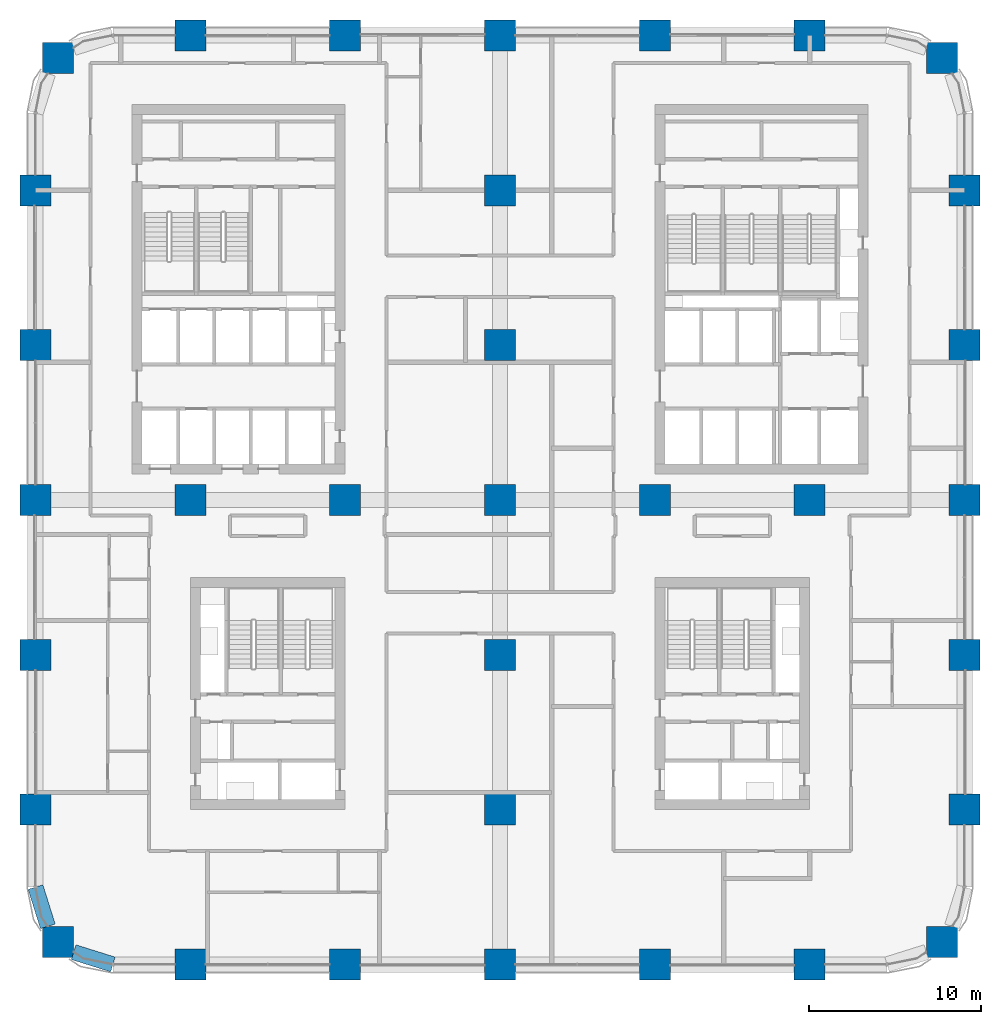
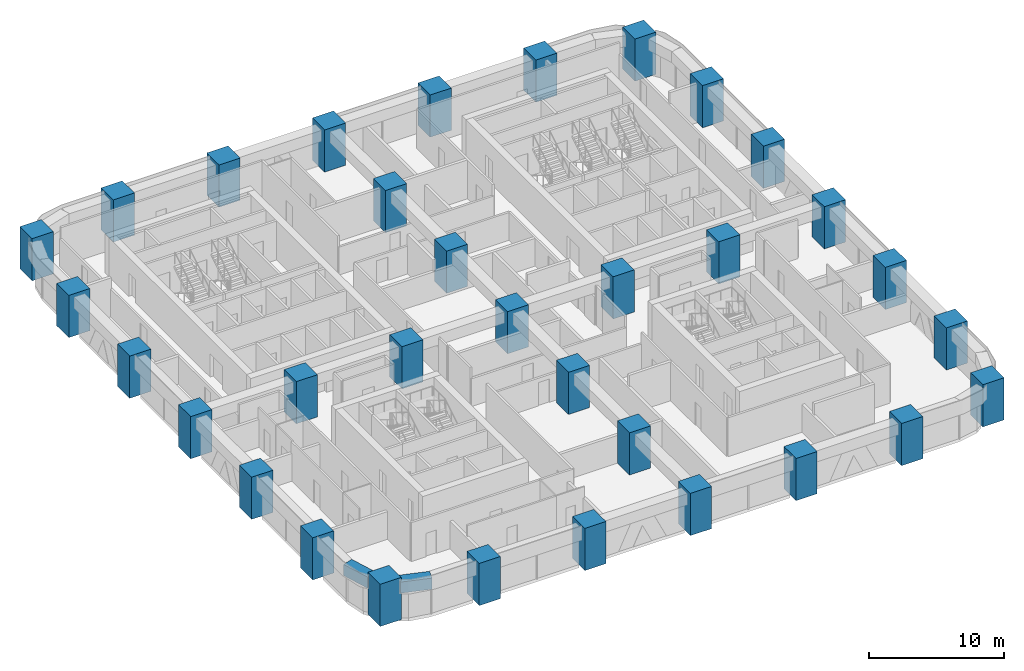
# One storey, part 1 of 21: 33 columns, 2 beams.
"""IFC4 building model written with IfcOpenShell, lengths in metres."""

import ifcopenshell
import ifcopenshell.guid

model = None  # the IFC model being written
_history = None  # IfcOwnerHistory: only IFC2X3 demands one
_inside = {}  # id of a spatial element -> (the spatial element, [elements in it])
_under = {}  # id of a project, library or spatial element -> (it, [spatial elements below it])
_declared = {}  # id of a project -> (the project, [libraries it declares])
_typed = {}  # id of a type object -> (the type object, [elements of that type])
_made_of = {}  # id of a material, layer set ... -> (it, [elements and type objects made of it])


def new_model(schema):
    """Start an empty IFC model of exactly this schema.

    Asked for "IFC4X3", IfcOpenShell would pick the latest addendum, in which some entities
    have other attributes; the version numbers below select the first issue.
    IFC2X3 requires an IfcOwnerHistory on every rooted entity: one is made here for all.
    """
    global model, _history
    if schema == "IFC4X3":
        model = ifcopenshell.file(schema_version=(4, 3, 0, 0))
    else:
        model = ifcopenshell.file(schema=schema)
    _inside.clear()
    _under.clear()
    _declared.clear()
    _typed.clear()
    _made_of.clear()
    _history = None
    if model.schema == "IFC2X3":
        org = make("IfcOrganization", Name="unknown")
        user = make(
            "IfcPersonAndOrganization",
            ThePerson=make("IfcPerson", FamilyName="unknown"),
            TheOrganization=org,
        )
        app = make(
            "IfcApplication",
            ApplicationDeveloper=org,
            Version="unknown",
            ApplicationFullName="unknown",
            ApplicationIdentifier="unknown",
        )
        _history = make(
            "IfcOwnerHistory",
            OwningUser=user,
            OwningApplication=app,
            ChangeAction="ADDED",
            CreationDate=0,
        )
    return model


def make(cls, **values):
    """One entity of the class cls with the attributes given. An attribute that is None is left unset."""
    return model.create_entity(
        cls, **{name: value for name, value in values.items() if value is not None}
    )


def rooted(cls, **values):
    """An entity with a GlobalId (a new one), such as an element, a storey or a relation."""
    return make(cls, GlobalId=ifcopenshell.guid.new(), OwnerHistory=_history, **values)


def si_unit(unit_type, name, prefix=None):
    """IfcSIUnit, for example si_unit("LENGTHUNIT", "METRE", prefix="MILLI")."""
    return make("IfcSIUnit", UnitType=unit_type, Prefix=prefix, Name=name)


def assignment(units):
    """IfcUnitAssignment: the units of a project."""
    return None if units is None else make("IfcUnitAssignment", Units=units)


def point(xyz):
    """IfcCartesianPoint."""
    return None if xyz is None else make("IfcCartesianPoint", Coordinates=xyz)


def direction(xyz):
    """IfcDirection."""
    return None if xyz is None else make("IfcDirection", DirectionRatios=xyz)


def frame(location, z_axis=None, x_axis=None):
    """IfcAxis2Placement3D, a coordinate frame: its origin and axes. An axis left out is left unset."""
    return make(
        "IfcAxis2Placement3D",
        Location=point(location),
        Axis=direction(z_axis),
        RefDirection=direction(x_axis),
    )


def frame_2d(location, x_axis=None):
    """IfcAxis2Placement2D, a coordinate frame in the plane: its origin and x axis."""
    return make(
        "IfcAxis2Placement2D", Location=point(location), RefDirection=direction(x_axis)
    )


def origin():
    """The frame at (0, 0, 0) with its axes left unset."""
    return frame((0.0, 0.0, 0.0))


def origin_2d():
    """The frame at (0, 0) in the plane with its x axis left unset."""
    return frame_2d((0.0, 0.0))


def place(relative_to, where):
    """IfcLocalPlacement: puts the frame where relative to a parent placement (None: the world)."""
    return make(
        "IfcLocalPlacement", PlacementRelTo=relative_to, RelativePlacement=where
    )


def context(
    kind, dimensions, precision=None, world=None, true_north=None, identifier=None
):
    """IfcGeometricRepresentationContext, for example the 3D "Model" context."""
    return make(
        "IfcGeometricRepresentationContext",
        ContextIdentifier=identifier,
        ContextType=kind,
        CoordinateSpaceDimension=dimensions,
        Precision=precision,
        WorldCoordinateSystem=world,
        TrueNorth=true_north,
    )


def subcontext(parent, identifier, kind, view, scale=None):
    """IfcGeometricRepresentationSubContext, for example "Body" below "Model"."""
    return make(
        "IfcGeometricRepresentationSubContext",
        ContextIdentifier=identifier,
        ContextType=kind,
        ParentContext=parent,
        TargetScale=scale,
        TargetView=view,
    )


def project(units=None, contexts=None):
    """IfcProject with its units and contexts."""
    return rooted(
        "IfcProject",
        Name="project",
        RepresentationContexts=contexts,
        UnitsInContext=assignment(units),
    )


def spatial(cls, under=None, at=None, **own):
    """A site, building, storey or space (cls), placed at a placement, below another one or the project."""
    s = rooted(cls, ObjectPlacement=at, **own)
    if under is not None:
        _under.setdefault(under.id(), (under, []))[1].append(s)
    return s


def profile(cls, at=None, kind="AREA", **sizes):
    """A parametric profile (cls). Its sizes go by their IFC names, for example OverallWidth=200.0."""
    return make(cls, ProfileType=kind, Position=at, **sizes)


def rectangle(**sizes):
    """IfcRectangleProfileDef."""
    return profile("IfcRectangleProfileDef", **sizes)


def extrude(swept, where, along, depth):
    """IfcExtrudedAreaSolid: the profile swept, set in the frame where, extruded along a direction by depth."""
    return make(
        "IfcExtrudedAreaSolid",
        SweptArea=swept,
        Position=where,
        ExtrudedDirection=direction(along),
        Depth=depth,
    )


def shape(context_of_items, identifier, shape_type, items):
    """IfcShapeRepresentation: the items that make up one representation, for example the "Body"."""
    return make(
        "IfcShapeRepresentation",
        ContextOfItems=context_of_items,
        RepresentationIdentifier=identifier,
        RepresentationType=shape_type,
        Items=items,
    )


def material(Name=None, Category=None):
    """IfcMaterial."""
    return make("IfcMaterial", Name=Name, Category=Category)


def material_profile(
    of_material, cross_section, Name=None, Category=None, Priority=None
):
    """IfcMaterialProfile: a cross section and its material."""
    return make(
        "IfcMaterialProfile",
        Name=Name,
        Material=of_material,
        Profile=cross_section,
        Priority=Priority,
        Category=Category,
    )


def profile_set(profiles, Name=None, composite=None):
    """IfcMaterialProfileSet."""
    return make(
        "IfcMaterialProfileSet",
        Name=Name,
        MaterialProfiles=profiles,
        CompositeProfile=composite,
    )


def made_of(thing, what):
    """Note that an element or type object is made of a material, layer set ...; save() writes the relation."""
    if what is not None:
        _made_of.setdefault(what.id(), (what, []))[1].append(thing)
    return thing


def type_object(cls, material=None, **own):
    """A type object (cls), such as IfcWallType, which elements share."""
    return made_of(rooted(cls, **own), material)


def element(
    cls,
    number,
    at=None,
    inside=None,
    cuts=None,
    type_object=None,
    material=None,
    context=None,
    identifier="Body",
    shape_type=None,
    held_by="IfcProductDefinitionShape",
    body=None,
    shapes=None,
    **own,
):
    """One element of the class cls, such as IfcWall. Its Tag is "e" and its number.

    at: its placement. inside: the storey or other place that contains it. cuts: it is an
    opening in that element (IfcRelVoidsElement). A single representation is given by context,
    identifier, shape_type and body (its items); several are given by shapes. held_by: the class
    of the entity that holds the representations. save() writes the other relations.
    """
    e = rooted(cls, Tag="e%d" % number, ObjectPlacement=at, **own)
    if body is not None:
        shapes = [shape(context, identifier, shape_type, body)]
    if shapes is not None:
        e.Representation = make(held_by, Representations=shapes)
    if inside is not None:
        _inside.setdefault(inside.id(), (inside, []))[1].append(e)
    if cuts is not None:
        rooted(
            "IfcRelVoidsElement", RelatingBuildingElement=cuts, RelatedOpeningElement=e
        )
    if type_object is not None:
        _typed.setdefault(type_object.id(), (type_object, []))[1].append(e)
    return made_of(e, material)


def aggregate(whole, parts):
    """IfcRelAggregates: a whole, such as a stair, and the parts it consists of."""
    return rooted("IfcRelAggregates", RelatingObject=whole, RelatedObjects=parts)


def save(model, path):
    """Write the relations noted so far, then the file.

    IfcRelAggregates (storeys below a building ...), IfcRelContainedInSpatialStructure (elements
    in a storey), IfcRelDefinesByType, IfcRelAssociatesMaterial and IfcRelDeclares: one each for
    every whole, place, type object, material and project.
    """
    for whole, parts in _under.values():
        aggregate(whole, parts)
    for where, things in _inside.values():
        rooted(
            "IfcRelContainedInSpatialStructure",
            RelatedElements=things,
            RelatingStructure=where,
        )
    for kind, things in _typed.values():
        rooted("IfcRelDefinesByType", RelatedObjects=things, RelatingType=kind)
    for what, things in _made_of.values():
        rooted("IfcRelAssociatesMaterial", RelatedObjects=things, RelatingMaterial=what)
    for by, libraries in _declared.values():
        rooted("IfcRelDeclares", RelatingContext=by, RelatedDefinitions=libraries)
    model.write(path)


model = new_model("IFC4")

# Units and contexts
model_context = context("Model", 3, precision=1e-05, world=origin(), true_north=direction((0.0, 1.0)))
body_context = subcontext(model_context, "Body", "Model", "MODEL_VIEW")
ifc_project = project(units=[si_unit("LENGTHUNIT", "METRE"), si_unit("AREAUNIT", "SQUARE_METRE"), si_unit("VOLUMEUNIT", "CUBIC_METRE"), si_unit("PLANEANGLEUNIT", "RADIAN"), si_unit("MASSUNIT", "GRAM", prefix="KILO")], contexts=[model_context])

# Site, building, storey
site_placement = place(None, origin())
site = spatial("IfcSite", under=ifc_project, at=site_placement, CompositionType="ELEMENT")
building_placement = place(site_placement, origin())
building = spatial("IfcBuilding", under=site, at=building_placement, Name="Tessera Arch", CompositionType="ELEMENT")
storey_placement = place(building_placement, frame((0.0, 0.0, 50.0)))
storey = spatial("IfcBuildingStorey", under=building, at=storey_placement, Name="L10", CompositionType="ELEMENT", Elevation=50.0)

# Columns
ifc_material_1 = material(Name="Concrete C80/95", Category="concrete")
ifc_material_profile_1 = material_profile(ifc_material_1, rectangle(XDim=1.800048828125, YDim=1.800048828125, at=origin_2d()), Name="RC column 1800 x 1800 Concrete C80/95")
ifc_profile_set_1 = profile_set([ifc_material_profile_1], Name="Concrete C80/95")
column_type = type_object("IfcColumnType", Name="RC column 1800 x 1800 Concrete C80/95", PredefinedType="COLUMN", material=ifc_profile_set_1)
for number, where, z_axis, x_axis, name in (
    (1, (1.318115234375, 1.318115234375, 0.0), (0.0, 0.0, 1.0), (1.0, 0.0, 0.0), "Column C1A L10"),
    (2, (0.0, 9.0, 0.0), (0.0, 0.0, 1.0), (1.0, 0.0, 0.0), "Column C1B L10"),
    (3, (0.0, 18.0, 0.0), (0.0, 0.0, 1.0), (1.0, 0.0, 0.0), "Column C1C L10"),
    (4, (0.0, 27.0, 0.0), (0.0, 0.0, 1.0), (1.0, 0.0, 0.0), "Column C1D L10"),
    (5, (0.0, 36.0, 0.0), (0.0, 0.0, 1.0), (1.0, 0.0, 0.0), "Column C1E L10"),
    (6, (0.0, 45.0, 0.0), (0.0, 0.0, 1.0), (1.0, 0.0, 0.0), "Column C1F L10"),
    (7, (1.318115234375, 52.681884765625, 0.0), (0.0, 0.0, 1.0), (1.0, 0.0, 0.0), "Column C1G L10"),
    (8, (9.0, 0.0, 0.0), (0.0, 0.0, 1.0), (1.0, 0.0, 0.0), "Column C2A L10"),
    (9, (9.0, 27.0, 0.0), (0.0, 0.0, 1.0), (1.0, 0.0, 0.0), "Column C2D L10"),
    (10, (9.0, 54.0, 0.0), (0.0, 0.0, 1.0), (1.0, 0.0, 0.0), "Column C2G L10"),
    (11, (18.0, 0.0, 0.0), (0.0, 0.0, 1.0), (1.0, 0.0, 0.0), "Column C3A L10"),
    (12, (18.0, 27.0, 0.0), (0.0, 0.0, 1.0), (1.0, 0.0, 0.0), "Column C3D L10"),
    (13, (18.0, 54.0, 0.0), (0.0, 0.0, 1.0), (1.0, 0.0, 0.0), "Column C3G L10"),
    (14, (27.0, 0.0, 0.0), (0.0, 0.0, 1.0), (1.0, 0.0, 0.0), "Column C4A L10"),
    (15, (27.0, 9.0, 0.0), (0.0, 0.0, 1.0), (1.0, 0.0, 0.0), "Column C4B L10"),
    (16, (27.0, 18.0, 0.0), (0.0, 0.0, 1.0), (1.0, 0.0, 0.0), "Column C4C L10"),
    (17, (27.0, 27.0, 0.0), (0.0, 0.0, 1.0), (1.0, 0.0, 0.0), "Column C4D L10"),
    (18, (27.0, 36.0, 0.0), (0.0, 0.0, 1.0), (1.0, 0.0, 0.0), "Column C4E L10"),
    (19, (27.0, 45.0, 0.0), (0.0, 0.0, 1.0), (1.0, 0.0, 0.0), "Column C4F L10"),
    (20, (27.0, 54.0, 0.0), (0.0, 0.0, 1.0), (1.0, 0.0, 0.0), "Column C4G L10"),
    (21, (36.0, 0.0, 0.0), (0.0, 0.0, 1.0), (1.0, 0.0, 0.0), "Column C5A L10"),
    (22, (36.0, 27.0, 0.0), (0.0, 0.0, 1.0), (1.0, 0.0, 0.0), "Column C5D L10"),
    (23, (36.0, 54.0, 0.0), (0.0, 0.0, 1.0), (1.0, 0.0, 0.0), "Column C5G L10"),
    (24, (45.0, 0.0, 0.0), (0.0, 0.0, 1.0), (1.0, 0.0, 0.0), "Column C6A L10"),
    (25, (45.0, 27.0, 0.0), (0.0, 0.0, 1.0), (1.0, 0.0, 0.0), "Column C6D L10"),
    (26, (45.0, 54.0, 0.0), (0.0, 0.0, 1.0), (1.0, 0.0, 0.0), "Column C6G L10"),
    (27, (52.681884765625, 1.318115234375, 0.0), (0.0, 0.0, 1.0), (1.0, 0.0, 0.0), "Column C7A L10"),
    (28, (54.0, 9.0, 0.0), (0.0, 0.0, 1.0), (1.0, 0.0, 0.0), "Column C7B L10"),
    (29, (54.0, 18.0, 0.0), (0.0, 0.0, 1.0), (1.0, 0.0, 0.0), "Column C7C L10"),
    (30, (54.0, 27.0, 0.0), (0.0, 0.0, 1.0), (1.0, 0.0, 0.0), "Column C7D L10"),
    (31, (54.0, 36.0, 0.0), (0.0, 0.0, 1.0), (1.0, 0.0, 0.0), "Column C7E L10"),
    (32, (54.0, 45.0, 0.0), (0.0, 0.0, 1.0), (1.0, 0.0, 0.0), "Column C7F L10"),
    (33, (52.681884765625, 52.681884765625, 0.0), (0.0, 0.0, 1.0), (1.0, 0.0, 0.0), "Column C7G L10"),
):
    element("IfcColumn", number, at=place(storey_placement, frame(where, z_axis=z_axis, x_axis=x_axis)), inside=storey, type_object=column_type, Name=name, PredefinedType="COLUMN", context=body_context, shape_type="SweptSolid", body=[
        extrude(rectangle(XDim=1.800048828125, YDim=1.800048828125, at=origin_2d()), origin(), (0.0, 0.0, 1.0), 3.800048828125),
    ])

# Beams
ifc_material_2 = material(Name="Concrete C80/95", Category="concrete")
ifc_material_profile_2 = material_profile(ifc_material_2, rectangle(XDim=0.89990234375, YDim=1.0, at=origin_2d()), Name="RC spandrel beam 900 x 1000 Concrete C80/95")
ifc_profile_set_2 = profile_set([ifc_material_profile_2], Name="Concrete C80/95")
beam_type = type_object("IfcBeamType", Name="RC spandrel beam 900 x 1000 Concrete C80/95", PredefinedType="BEAM", material=ifc_profile_set_2)
for number, where, z_axis, x_axis, name in (
    (34, (0.0, 4.5, 3.0), (0.299675309057, -0.954041251279, 0.0), (0.954041251279, 0.299675309057, 0.0), "Spandrel beam L10 W0.0/5.2"),
    (35, (2.218017578125, 0.716796875, 3.0), (0.954041251279, -0.299675309057, 0.0), (0.299675309057, 0.954041251279, 0.0), "Spandrel beam L10 S0.0/5.1"),
):
    element("IfcBeam", number, at=place(storey_placement, frame(where, z_axis=z_axis, x_axis=x_axis)), inside=storey, type_object=beam_type, Name=name, PredefinedType="BEAM", context=body_context, shape_type="SweptSolid", body=[
        extrude(rectangle(XDim=0.89990234375, YDim=1.0, at=origin_2d()), origin(), (0.0, 0.0, 1.0), 2.391845703125),
    ])

save(model, "model.ifc")
